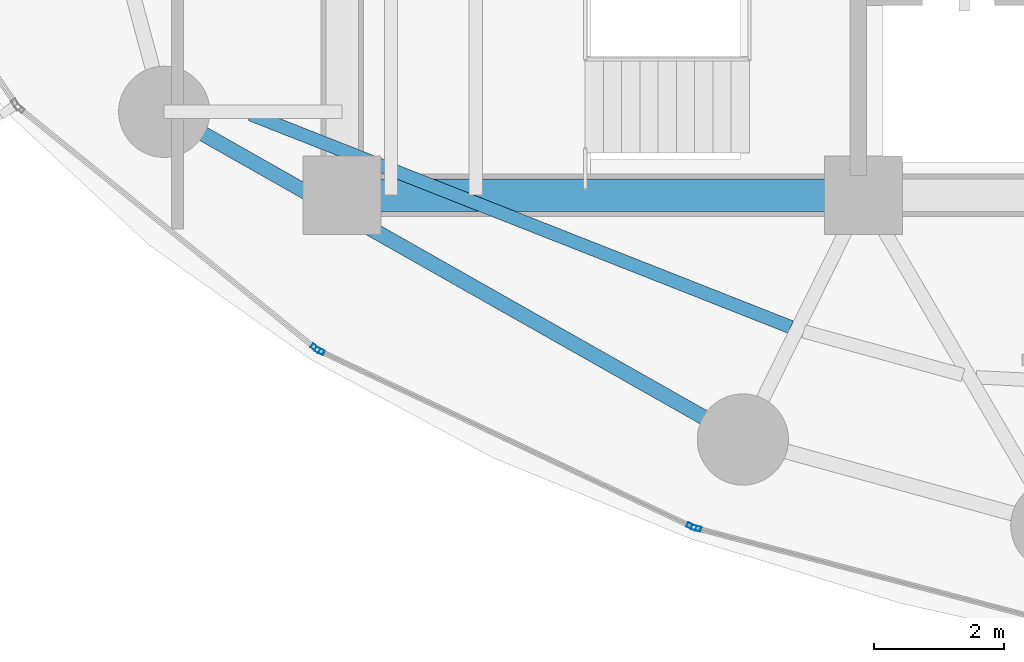
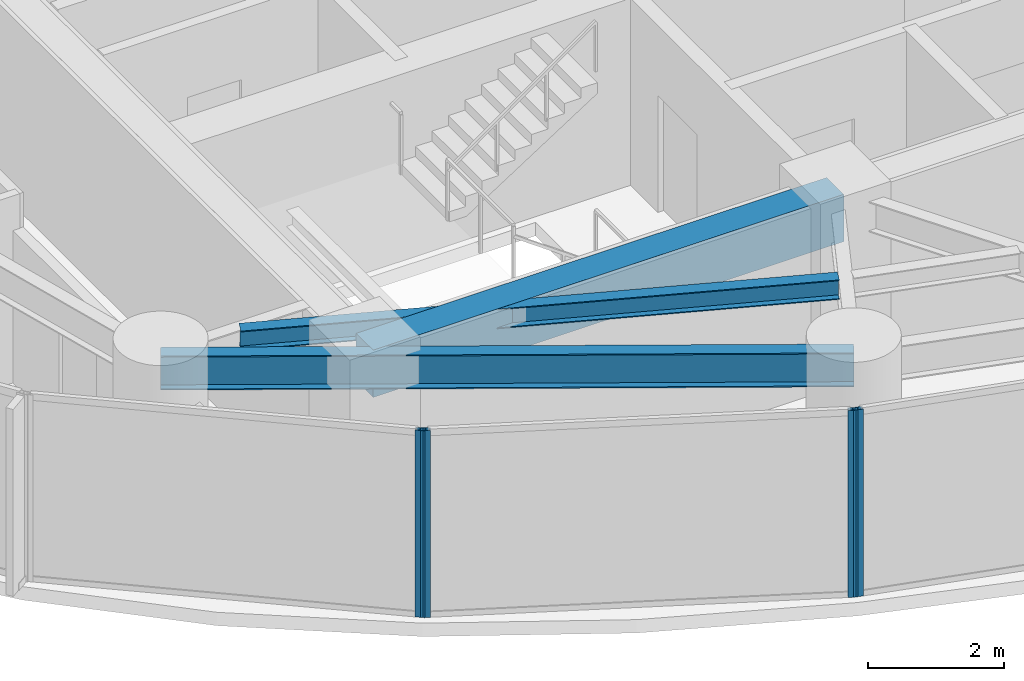
# One storey, part 2 of 30: 4 members, 3 beams, 3 elements without a shape of their own.
"""IFC4 building model written with IfcOpenShell, lengths in metres."""

from ifc_helpers import new_model, si_unit, direction, frame, origin, origin_2d, place, context, subcontext, project, spatial, rectangle, hollow_rectangle, i_section, extrude, material, layer, layer_set, material_profile, profile_set, type_object, element, aggregate, save


model = new_model("IFC4")

# Units and contexts
model_context = context("Model", 3, precision=1e-05, world=origin(), true_north=direction((0.0, 1.0)))
body_context = subcontext(model_context, "Body", "Model", "MODEL_VIEW")
ifc_project = project(units=[si_unit("LENGTHUNIT", "METRE"), si_unit("AREAUNIT", "SQUARE_METRE"), si_unit("VOLUMEUNIT", "CUBIC_METRE"), si_unit("PLANEANGLEUNIT", "RADIAN"), si_unit("MASSUNIT", "GRAM", prefix="KILO")], contexts=[model_context])

# Site, building, storey
site_placement = place(None, origin())
site = spatial("IfcSite", under=ifc_project, at=site_placement, CompositionType="ELEMENT")
building_placement = place(site_placement, origin())
building = spatial("IfcBuilding", under=site, at=building_placement, Name="Kazevale Care Tower and Concert Hall", CompositionType="ELEMENT")
storey_placement = place(building_placement, frame((0.0, 0.0, 70.800048828125)))
storey = spatial("IfcBuildingStorey", under=building, at=storey_placement, Name="L18", CompositionType="ELEMENT", Elevation=70.800048828125)

# Curtain wall, member
ifc_material_1 = material(Name="Aluminium 6063-T6 and Low-E Glass", Category="aluminium")
ifc_layer = layer(ifc_material_1, 0.179931640625)
ifc_layer_set = layer_set([ifc_layer], Name="Aluminium 6063-T6 and Low-E Glass")
curtain_wall_type = type_object("IfcCurtainWallType", Name="Sheltered Concave Balcony Curtain Wall CW-5", PredefinedType="NOTDEFINED", material=ifc_layer_set)
curtain_wall_1_placement = place(storey_placement, origin())
curtain_wall_1 = element("IfcCurtainWall", 1, at=curtain_wall_1_placement, inside=storey, type_object=curtain_wall_type, Name="cw:L18:f08", PredefinedType="NOTDEFINED")
ifc_material_2 = material(Name="Aluminium 6063-T6", Category="aluminium")
ifc_material_profile_1 = material_profile(ifc_material_2, hollow_rectangle(XDim=0.074951171875, YDim=0.14990234375, WallThickness=0.00390625, at=origin_2d()), Name="ALU75x150x4")
ifc_profile_set_1 = profile_set([ifc_material_profile_1], Name="Aluminium 6063-T6")
member_type = type_object("IfcMemberType", Name="CW-5 Mullion ALU75x150x4", PredefinedType="MULLION", material=ifc_profile_set_1)
member_1_placement = place(storey_placement, frame((27.433349609375, 18.489501953125, 0.0), z_axis=(0.0, 0.0, 1.0), x_axis=(-0.254828630267, -0.966986230097, 0.0)))
member_1 = element("IfcMember", 2, at=member_1_placement, type_object=member_type, Name="CW-5 mullion 2", PredefinedType="MULLION", context=body_context, shape_type="SweptSolid", body=[
    extrude(hollow_rectangle(XDim=0.074951171875, YDim=0.14990234375, WallThickness=0.00390625, at=origin_2d()), origin(), (0.0, 0.0, 1.0), 3.35986328125),
])
aggregate(curtain_wall_1, [member_1])

# Curtain wall, members
curtain_wall_2_placement = place(storey_placement, origin())
curtain_wall_2 = element("IfcCurtainWall", 3, at=curtain_wall_2_placement, inside=storey, type_object=curtain_wall_type, Name="cw:L18:f09", PredefinedType="NOTDEFINED")
member_2_placement = place(storey_placement, frame((27.363037109375, 18.514892578125, 0.0), z_axis=(0.0, 0.0, 1.0), x_axis=(-0.426942320459, -0.904278859092, 0.0)))
member_2 = element("IfcMember", 4, at=member_2_placement, type_object=member_type, Name="CW-5 mullion 1", PredefinedType="MULLION", context=body_context, shape_type="SweptSolid", body=[
    extrude(hollow_rectangle(XDim=0.074951171875, YDim=0.14990234375, WallThickness=0.00390625, at=origin_2d()), origin(), (0.0, 0.0, 1.0), 3.35986328125),
])
member_3_placement = place(storey_placement, frame((21.65283203125, 21.2109375, 0.0), z_axis=(0.0, 0.0, 1.0), x_axis=(-0.426942320459, -0.904278859092, 0.0)))
member_3 = element("IfcMember", 5, at=member_3_placement, type_object=member_type, Name="CW-5 mullion 2", PredefinedType="MULLION", context=body_context, shape_type="SweptSolid", body=[
    extrude(hollow_rectangle(XDim=0.074951171875, YDim=0.14990234375, WallThickness=0.00390625, at=origin_2d()), origin(), (0.0, 0.0, 1.0), 3.35986328125),
])
aggregate(curtain_wall_2, [member_2, member_3])

# Curtain wall, member
curtain_wall_3_placement = place(storey_placement, origin())
curtain_wall_3 = element("IfcCurtainWall", 6, at=curtain_wall_3_placement, inside=storey, type_object=curtain_wall_type, Name="cw:L18:f10", PredefinedType="NOTDEFINED")
member_4_placement = place(storey_placement, frame((21.58984375, 21.250732421875, 0.0), z_axis=(0.0, 0.0, 1.0), x_axis=(-0.629994732952, -0.77659940539, 0.0)))
member_4 = element("IfcMember", 7, at=member_4_placement, type_object=member_type, Name="CW-5 mullion 1", PredefinedType="MULLION", context=body_context, shape_type="SweptSolid", body=[
    extrude(hollow_rectangle(XDim=0.074951171875, YDim=0.14990234375, WallThickness=0.00390625, at=origin_2d()), origin(), (0.0, 0.0, 1.0), 3.35986328125),
])
aggregate(curtain_wall_3, [member_4])

# Beams
ifc_material_3 = material(Name="Concrete C60", Category="concrete")
ifc_material_profile_2 = material_profile(ifc_material_3, rectangle(XDim=0.5, YDim=0.85009765625, at=origin_2d()), Name="RC-B500x850")
ifc_profile_set_2 = profile_set([ifc_material_profile_2], Name="Concrete C60")
beam_type_1 = type_object("IfcBeamType", Name="Core Coupling Beam RC500x850", PredefinedType="LINTEL", material=ifc_profile_set_2)
beam_1_placement = place(storey_placement, frame((22.0, 23.60009765625, 2.93505859375), z_axis=(1.0, 0.0, 0.0), x_axis=(0.0, 1.0, 0.0)))
element("IfcBeam", 8, at=beam_1_placement, inside=storey, type_object=beam_type_1, Name="beam:L18:coretie:1", PredefinedType="LINTEL", context=body_context, shape_type="SweptSolid", body=[
    extrude(rectangle(XDim=0.5, YDim=0.85009765625, at=origin_2d()), origin(), (0.0, 0.0, 1.0), 8.0),
])
ifc_material_4 = material(Name="Steel ASTM A572 Gr 50", Category="steel")
ifc_material_profile_3 = material_profile(ifc_material_4, i_section(OverallWidth=0.22900390625, OverallDepth=0.612060546875, WebThickness=0.011962890625, FlangeThickness=0.01953125, at=origin_2d()), Name="W610x125")
ifc_profile_set_3 = profile_set([ifc_material_profile_3], Name="Steel ASTM A572 Gr 50")
beam_type_2 = type_object("IfcBeamType", Name="Ring Spandrel Beam W610x125", PredefinedType="SPANDREL", material=ifc_profile_set_3)
beam_2_placement = place(storey_placement, frame((19.27001953125, 24.8798828125, 3.053955078125), z_axis=(0.870112469479, -0.492853213906, 0.0), x_axis=(0.492853213906, 0.870112469479, 0.0)))
element("IfcBeam", 9, at=beam_2_placement, inside=storey, type_object=beam_type_2, Name="beam:L18:ring:10", PredefinedType="SPANDREL", context=body_context, shape_type="SweptSolid", body=[
    extrude(i_section(OverallWidth=0.22900390625, OverallDepth=0.612060546875, WebThickness=0.011962890625, FlangeThickness=0.01953125, at=origin_2d()), origin(), (0.0, 0.0, 1.0), 10.205322265625),
])
ifc_material_profile_4 = material_profile(ifc_material_4, i_section(OverallWidth=0.205078125, OverallDepth=0.35400390625, WebThickness=0.009521484375, FlangeThickness=0.016845703125, at=origin_2d()), Name="W360x79")
ifc_profile_set_4 = profile_set([ifc_material_profile_4], Name="Steel ASTM A572 Gr 50")
beam_type_3 = type_object("IfcBeamType", Name="Secondary Floor Joist W360x79", PredefinedType="JOIST", material=ifc_profile_set_4)
beam_3_placement = place(storey_placement, frame((20.595947265625, 24.842041015625, 3.182861328125), z_axis=(0.930380638802, -0.366594963062, 0.0), x_axis=(0.366594963062, 0.930380638802, 0.0)))
element("IfcBeam", 10, at=beam_3_placement, inside=storey, type_object=beam_type_3, Name="beam:L18:joist:10", PredefinedType="JOIST", context=body_context, shape_type="SweptSolid", body=[
    extrude(i_section(OverallWidth=0.205078125, OverallDepth=0.35400390625, WebThickness=0.009521484375, FlangeThickness=0.016845703125, at=origin_2d()), origin(), (0.0, 0.0, 1.0), 8.909423828125),
])

save(model, "model.ifc")
